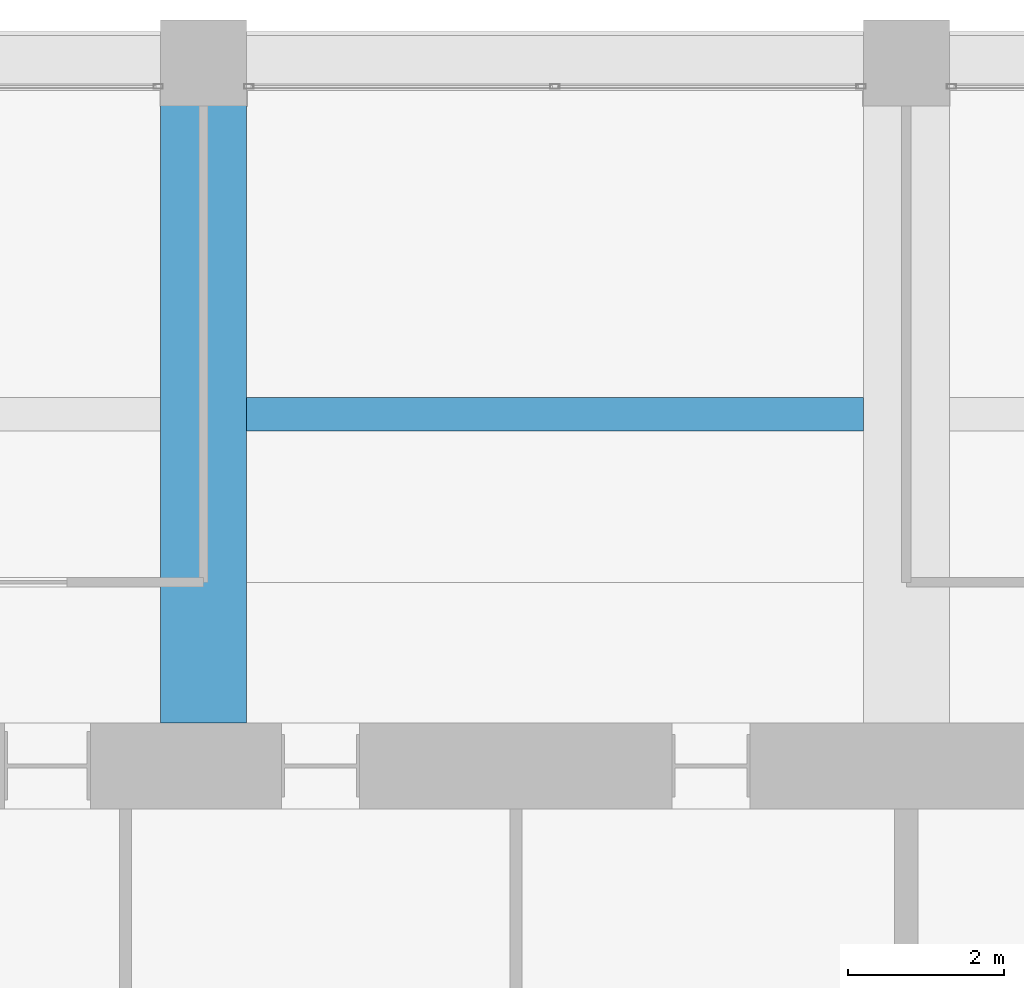
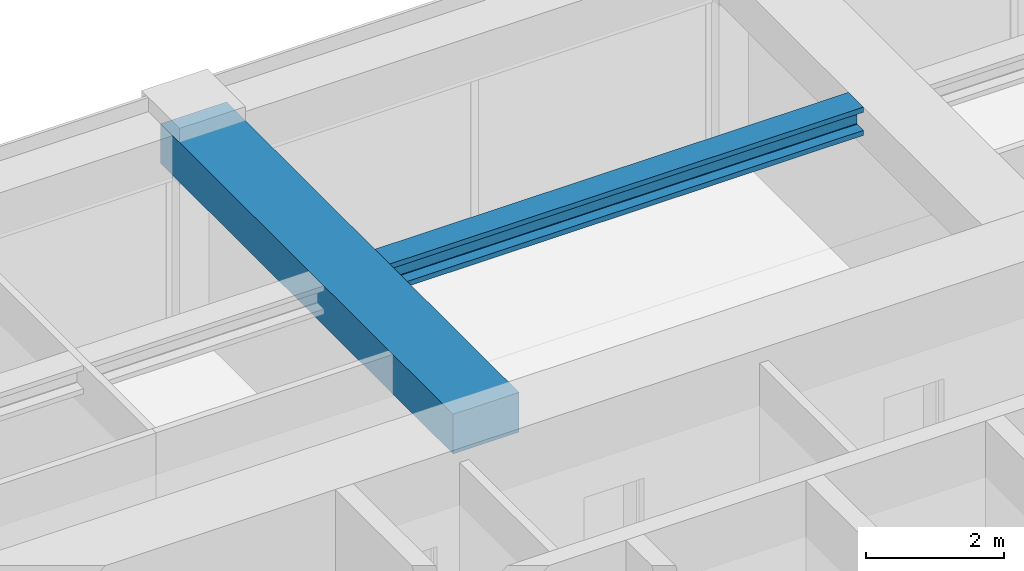
# One storey, part 32 of 44: 2 beams.
"""IFC4 building model written with IfcOpenShell, lengths in metres."""

from ifc_helpers import new_model, si_unit, direction, frame, origin, origin_2d, place, context, subcontext, project, spatial, rectangle, i_section, extrude, material, material_profile, profile_set, type_object, element, save


model = new_model("IFC4")

# Units and contexts
model_context = context("Model", 3, precision=1e-05, world=origin(), true_north=direction((0.0, 1.0)))
body_context = subcontext(model_context, "Body", "Model", "MODEL_VIEW")
ifc_project = project(units=[si_unit("LENGTHUNIT", "METRE"), si_unit("AREAUNIT", "SQUARE_METRE"), si_unit("VOLUMEUNIT", "CUBIC_METRE"), si_unit("PLANEANGLEUNIT", "RADIAN"), si_unit("MASSUNIT", "GRAM", prefix="KILO")], contexts=[model_context])

# Site, building, storey
site_placement = place(None, origin())
site = spatial("IfcSite", under=ifc_project, at=site_placement, CompositionType="ELEMENT")
building_placement = place(site_placement, origin())
building = spatial("IfcBuilding", under=site, at=building_placement, Name="Zorevar Civic Tower", CompositionType="ELEMENT")
storey_placement = place(building_placement, frame((0.0, 0.0, 299.39990234375)))
storey = spatial("IfcBuildingStorey", under=building, at=storey_placement, Name="L73", CompositionType="ELEMENT", Elevation=299.39990234375)

# Beams
ifc_material_1 = material(Name="Concrete C50/60", Category="concrete")
ifc_material_profile_1 = material_profile(ifc_material_1, rectangle(XDim=1.10009765625, YDim=0.699951171875, at=origin_2d()), Name="RC 1100x700")
ifc_profile_set_1 = profile_set([ifc_material_profile_1], Name="Concrete C50/60")
beam_type_1 = type_object("IfcBeamType", Name="Beam RC 1100x700", PredefinedType="BEAM", material=ifc_profile_set_1)
beam_1_placement = place(storey_placement, frame((27.0, 36.550048828125, 3.400146484375), z_axis=(0.0, 1.0, 0.0), x_axis=(-1.0, 0.0, 0.0)))
element("IfcBeam", 1, at=beam_1_placement, inside=storey, type_object=beam_type_1, Name="Girder L74", PredefinedType="BEAM", context=body_context, shape_type="SweptSolid", body=[
    extrude(rectangle(XDim=1.10009765625, YDim=0.699951171875, at=origin_2d()), origin(), (0.0, 0.0, 1.0), 8.449951171875),
])
ifc_material_2 = material(Name="Steel S460M (HISTAR 460)", Category="steel")
ifc_material_profile_2 = material_profile(ifc_material_2, i_section(OverallWidth=0.431884765625, OverallDepth=0.498046875, WebThickness=0.0556640625, FlangeThickness=0.0888671875, FilletRadius=0.014892578125, at=origin_2d()), Name="HD 400x744")
ifc_profile_set_2 = profile_set([ifc_material_profile_2], Name="Steel S460M (HISTAR 460)")
beam_type_2 = type_object("IfcBeamType", Name="Core bay beam HD 400x744", PredefinedType="BEAM", material=ifc_profile_set_2)
beam_2_placement = place(storey_placement, frame((27.550048828125, 40.5, 3.5009765625), z_axis=(1.0, 0.0, 0.0), x_axis=(0.0, 1.0, 0.0)))
element("IfcBeam", 2, at=beam_2_placement, inside=storey, type_object=beam_type_2, Name="Secondary beam L74", PredefinedType="BEAM", context=body_context, shape_type="SweptSolid", body=[
    extrude(i_section(OverallWidth=0.431884765625, OverallDepth=0.498046875, WebThickness=0.0556640625, FlangeThickness=0.0888671875, FilletRadius=0.014892578125, at=origin_2d()), origin(), (0.0, 0.0, 1.0), 7.89990234375),
])

save(model, "model.ifc")
